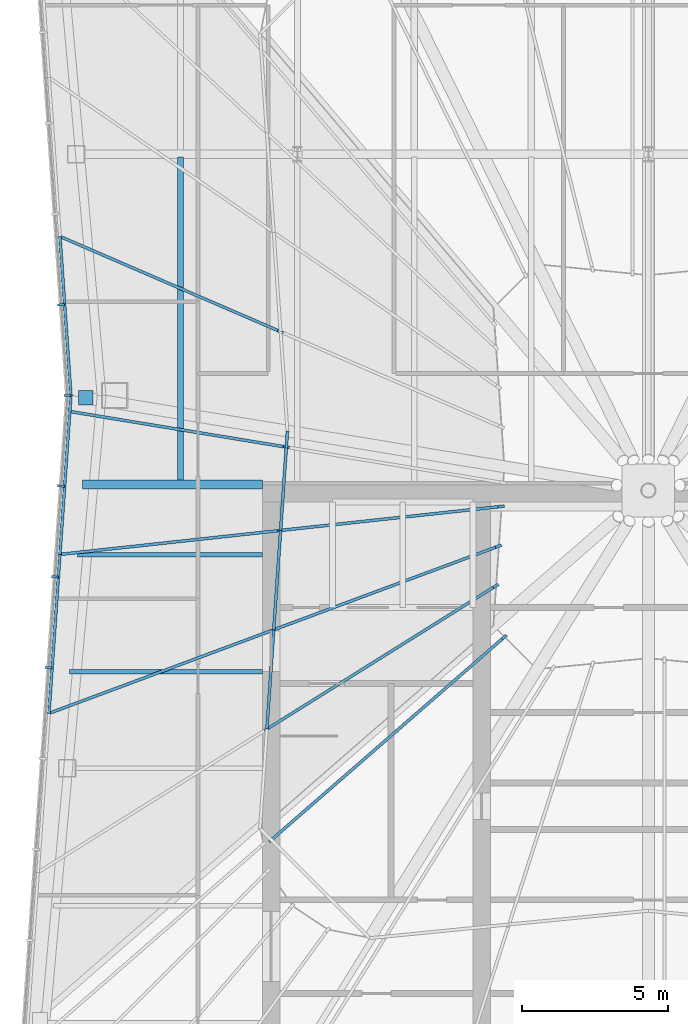
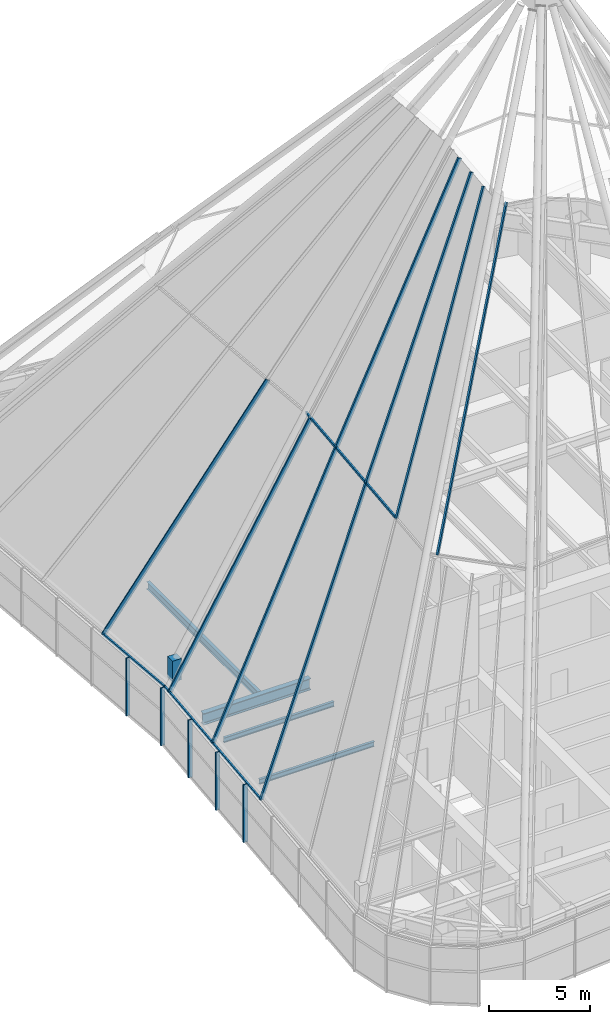
# One storey, part 7 of 28: 20 members, 4 beams, 10 elements without a shape of their own.
"""IFC4 building model written with IfcOpenShell, lengths in metres."""

from ifc_helpers import new_model, si_unit, direction, frame, origin, origin_2d, place, context, subcontext, project, spatial, rectangle, i_section, extrude, material, layer, layer_set, material_profile, profile_set, type_object, element, aggregate, save


model = new_model("IFC4")

# Units and contexts
model_context = context("Model", 3, precision=1e-05, world=origin(), true_north=direction((0.0, 1.0)))
body_context = subcontext(model_context, "Body", "Model", "MODEL_VIEW")
ifc_project = project(units=[si_unit("LENGTHUNIT", "METRE"), si_unit("AREAUNIT", "SQUARE_METRE"), si_unit("VOLUMEUNIT", "CUBIC_METRE"), si_unit("PLANEANGLEUNIT", "RADIAN"), si_unit("MASSUNIT", "GRAM", prefix="KILO")], contexts=[model_context])

# Site, building, storey
site_placement = place(None, origin())
site = spatial("IfcSite", under=ifc_project, at=site_placement, CompositionType="ELEMENT")
building_placement = place(site_placement, origin())
building = spatial("IfcBuilding", under=site, at=building_placement, Name="Verdant Reach Tower", CompositionType="ELEMENT")
storey_placement = place(building_placement, frame((0.0, 0.0, 368.0)))
storey = spatial("IfcBuildingStorey", under=building, at=storey_placement, Name="L83 Crown plant", CompositionType="ELEMENT", Elevation=368.0)

# Curtain wall, members
ifc_material_1 = material(Name="Anodised aluminium", Category="aluminium")
curtain_wall_type_1 = type_object("IfcCurtainWallType", Name="EN-CW SYSTEM PLANT", PredefinedType="NOTDEFINED", material=ifc_material_1)
curtain_wall_1_placement = place(storey_placement, origin())
curtain_wall_1 = element("IfcCurtainWall", 1, at=curtain_wall_1_placement, inside=storey, type_object=curtain_wall_type_1, Name="Curtain wall west, L83", PredefinedType="NOTDEFINED")
ifc_material_profile_1 = material_profile(ifc_material_1, rectangle(XDim=0.238037109375, YDim=0.080078125, at=origin_2d()), Name="Mullion 80x240")
ifc_profile_set_1 = profile_set([ifc_material_profile_1], Name="Anodised aluminium")
member_type_1 = type_object("IfcMemberType", Name="EN-MULLION PLANT", PredefinedType="MULLION", material=ifc_profile_set_1)
member_1_placement = place(storey_placement, frame((-20.0830078125, 44.348876953125, -0.35009765625), z_axis=(0.0, 0.0, 1.0), x_axis=(-0.997630328423, -0.068802091615, 0.0)))
member_1 = element("IfcMember", 2, at=member_1_placement, type_object=member_type_1, Name="Mullion west face part 1 7, L83", PredefinedType="MULLION", context=body_context, shape_type="SweptSolid", body=[
    extrude(rectangle(XDim=0.238037109375, YDim=0.080078125, at=origin_2d()), origin(), (0.0, 0.0, 1.0), 3.5),
])
member_2_placement = place(storey_placement, frame((-19.868896484375, 41.25, -0.35009765625), z_axis=(0.0, 0.0, 1.0), x_axis=(-1.0, 0.0, 0.0)))
member_2 = element("IfcMember", 3, at=member_2_placement, type_object=member_type_1, Name="Mullion west face part 2 1, L83", PredefinedType="MULLION", context=body_context, shape_type="SweptSolid", body=[
    extrude(rectangle(XDim=0.238037109375, YDim=0.080078125, at=origin_2d()), origin(), (0.0, 0.0, 1.0), 3.5),
])
member_3_placement = place(storey_placement, frame((-20.0830078125, 38.151123046875, -0.35009765625), z_axis=(0.0, 0.0, 1.0), x_axis=(-0.997630328423, 0.068802091615, 0.0)))
member_3 = element("IfcMember", 4, at=member_3_placement, type_object=member_type_1, Name="Mullion west face part 2 2, L83", PredefinedType="MULLION", context=body_context, shape_type="SweptSolid", body=[
    extrude(rectangle(XDim=0.238037109375, YDim=0.080078125, at=origin_2d()), origin(), (0.0, 0.0, 1.0), 3.5),
])
member_4_placement = place(storey_placement, frame((-20.29736328125, 35.0439453125, -0.35009765625), z_axis=(0.0, 0.0, 1.0), x_axis=(-0.997630328423, 0.068802091615, 0.0)))
member_4 = element("IfcMember", 5, at=member_4_placement, type_object=member_type_1, Name="Mullion west face part 2 3, L83", PredefinedType="MULLION", context=body_context, shape_type="SweptSolid", body=[
    extrude(rectangle(XDim=0.238037109375, YDim=0.080078125, at=origin_2d()), origin(), (0.0, 0.0, 1.0), 3.5),
])
member_5_placement = place(storey_placement, frame((-20.511474609375, 31.936767578125, -0.35009765625), z_axis=(0.0, 0.0, 1.0), x_axis=(-0.997630328423, 0.068802091615, 0.0)))
member_5 = element("IfcMember", 6, at=member_5_placement, type_object=member_type_1, Name="Mullion west face part 2 4, L83", PredefinedType="MULLION", context=body_context, shape_type="SweptSolid", body=[
    extrude(rectangle(XDim=0.238037109375, YDim=0.080078125, at=origin_2d()), origin(), (0.0, 0.0, 1.0), 3.5),
])
aggregate(curtain_wall_1, [member_1, member_2, member_3, member_4, member_5])

# Curtain wall, member
curtain_wall_type_2 = type_object("IfcCurtainWallType", Name="EN-CW SYSTEM CROWN APEX", PredefinedType="NOTDEFINED", material=ifc_material_1)
curtain_wall_2_placement = place(storey_placement, origin())
curtain_wall_2 = element("IfcCurtainWall", 7, at=curtain_wall_2_placement, inside=storey, type_object=curtain_wall_type_2, Name="Crown glazing unit west face part 1 4, level 01", PredefinedType="NOTDEFINED")
ifc_material_profile_2 = material_profile(ifc_material_1, rectangle(XDim=0.10009765625, YDim=0.239990234375, at=origin_2d()), Name="Mullion 100x240")
ifc_profile_set_2 = profile_set([ifc_material_profile_2], Name="Anodised aluminium")
member_type_2 = type_object("IfcMemberType", Name="EN-RIB MULLION CROWN", PredefinedType="MULLION", material=ifc_profile_set_2)
member_6_placement = place(storey_placement, frame((-20.125, 46.6875, 3.14990234375), z_axis=(0.446067619679, -0.192557140172, 0.874039716742), x_axis=(0.396326778876, 0.918109516532, 0.0)))
member_6 = element("IfcMember", 8, at=member_6_placement, type_object=member_type_2, Name="Crown mullion west face part 1 4, level 01", PredefinedType="MULLION", context=body_context, shape_type="SweptSolid", body=[
    extrude(rectangle(XDim=0.10009765625, YDim=0.239990234375, at=origin_2d()), origin(), (0.0, 0.0, 1.0), 16.918701171875),
])

curtain_wall_3_placement = place(storey_placement, origin())
curtain_wall_3 = element("IfcCurtainWall", 9, at=curtain_wall_3_placement, inside=storey, type_object=curtain_wall_type_2, Name="Crown glazing unit west face part 2 1, level 01", PredefinedType="NOTDEFINED")
member_7_placement = place(storey_placement, frame((-19.787841796875, 40.701416015625, 3.14990234375), z_axis=(0.446604799873, -0.073491929093, 0.891707961772), x_axis=(0.162373195455, 0.986729418533, 0.0)))
member_7 = element("IfcMember", 10, at=member_7_placement, type_object=member_type_2, Name="Crown mullion west face part 2 1, level 01", PredefinedType="MULLION", context=body_context, shape_type="SweptSolid", body=[
    extrude(rectangle(XDim=0.10009765625, YDim=0.239990234375, at=origin_2d()), origin(), (0.0, 0.0, 1.0), 16.58349609375),
])

curtain_wall_4_placement = place(storey_placement, origin())
curtain_wall_4 = element("IfcCurtainWall", 11, at=curtain_wall_4_placement, inside=storey, type_object=curtain_wall_type_2, Name="Crown glazing unit west face part 2 2, level 01", PredefinedType="NOTDEFINED")
member_8_placement = place(storey_placement, frame((-20.125, 35.8125, 3.14990234375), z_axis=(0.454020757448, 0.049350082331, 0.889623359169), x_axis=(-0.108059180768, 0.994144463069, 0.0)))
member_8 = element("IfcMember", 12, at=member_8_placement, type_object=member_type_2, Name="Crown mullion west face part 2 2, level 01", PredefinedType="MULLION", context=body_context, shape_type="SweptSolid", body=[
    extrude(rectangle(XDim=0.10009765625, YDim=0.239990234375, at=origin_2d()), origin(), (0.0, 0.0, 1.0), 16.622314453125),
])

curtain_wall_5_placement = place(storey_placement, origin())
curtain_wall_5 = element("IfcCurtainWall", 13, at=curtain_wall_5_placement, inside=storey, type_object=curtain_wall_type_2, Name="Crown glazing unit west face part 2 3, level 01", PredefinedType="NOTDEFINED")
member_9_placement = place(storey_placement, frame((-20.5, 30.375, 3.14990234375), z_axis=(0.454613747393, 0.16909413775, 0.874490430628), x_axis=(-0.34861696519, 0.937265283461, 0.0)))
member_9 = element("IfcMember", 14, at=member_9_placement, type_object=member_type_2, Name="Crown mullion west face part 2 3, level 01", PredefinedType="MULLION", context=body_context, shape_type="SweptSolid", body=[
    extrude(rectangle(XDim=0.10009765625, YDim=0.239990234375, at=origin_2d()), origin(), (0.0, 0.0, 1.0), 16.909912109375),
])
aggregate(curtain_wall_5, [member_9])

curtain_wall_6_placement = place(storey_placement, origin())
curtain_wall_6 = element("IfcCurtainWall", 15, at=curtain_wall_6_placement, inside=storey, type_object=curtain_wall_type_2, Name="Crown glazing unit west face part 2 2, level 02", PredefinedType="NOTDEFINED")
member_10_placement = place(storey_placement, frame((-12.578125, 36.6328125, 17.9375), z_axis=(0.462668033974, 0.050290003693, 0.885104064993), x_axis=(-0.108059180768, 0.994144463069, 0.0)))
member_10 = element("IfcMember", 16, at=member_10_placement, type_object=member_type_2, Name="Crown mullion west face part 2 2, level 02", PredefinedType="MULLION", context=body_context, shape_type="SweptSolid", body=[
    extrude(rectangle(XDim=0.10009765625, YDim=0.239990234375, at=origin_2d()), origin(), (0.0, 0.0, 1.0), 16.3115234375),
])

curtain_wall_7_placement = place(storey_placement, origin())
curtain_wall_7 = element("IfcCurtainWall", 17, at=curtain_wall_7_placement, inside=storey, type_object=curtain_wall_type_2, Name="Crown glazing unit west face part 2 3, level 02", PredefinedType="NOTDEFINED")
member_11_placement = place(storey_placement, frame((-12.8125, 33.234375, 17.9375), z_axis=(0.462972145316, 0.17220305405, 0.86948427291), x_axis=(-0.34861696519, 0.937265283461, 0.0)))
member_11 = element("IfcMember", 18, at=member_11_placement, type_object=member_type_2, Name="Crown mullion west face part 2 3, level 02", PredefinedType="MULLION", context=body_context, shape_type="SweptSolid", body=[
    extrude(rectangle(XDim=0.10009765625, YDim=0.239990234375, at=origin_2d()), origin(), (0.0, 0.0, 1.0), 16.604736328125),
])

curtain_wall_8_placement = place(storey_placement, origin())
curtain_wall_8 = element("IfcCurtainWall", 19, at=curtain_wall_8_placement, inside=storey, type_object=curtain_wall_type_2, Name="Crown glazing unit west face part 2 4, level 02", PredefinedType="NOTDEFINED")
member_12_placement = place(storey_placement, frame((-13.046875, 29.8359375, 17.9375), z_axis=(0.456766471616, 0.285820935832, 0.842419600346), x_axis=(-0.53045514425, 0.847713005644, 0.0)))
member_12 = element("IfcMember", 20, at=member_12_placement, type_object=member_type_2, Name="Crown mullion west face part 2 4, level 02", PredefinedType="MULLION", context=body_context, shape_type="SweptSolid", body=[
    extrude(rectangle(XDim=0.10009765625, YDim=0.239990234375, at=origin_2d()), origin(), (0.0, 0.0, 1.0), 17.13818359375),
])
aggregate(curtain_wall_8, [member_12])

curtain_wall_9_placement = place(storey_placement, origin())
curtain_wall_9 = element("IfcCurtainWall", 21, at=curtain_wall_9_placement, inside=storey, type_object=curtain_wall_type_2, Name="Crown glazing unit south-west corner 1, level 02", PredefinedType="NOTDEFINED")
member_13_placement = place(storey_placement, frame((-12.892333984375, 26.048583984375, 17.9375), z_axis=(0.445417055524, 0.387774848338, 0.806990900596), x_axis=(-0.656617966376, 0.754223339756, 0.0)))
member_13 = element("IfcMember", 22, at=member_13_placement, type_object=member_type_2, Name="Crown mullion south-west corner 1, level 02", PredefinedType="MULLION", context=body_context, shape_type="SweptSolid", body=[
    extrude(rectangle(XDim=0.10009765625, YDim=0.239990234375, at=origin_2d()), origin(), (0.0, 0.0, 1.0), 17.890625),
])
aggregate(curtain_wall_9, [member_13])

# Member
ifc_material_profile_3 = material_profile(ifc_material_1, rectangle(XDim=0.10009765625, YDim=0.139892578125, at=origin_2d()), Name="Transom 140x100")
ifc_profile_set_3 = profile_set([ifc_material_profile_3], Name="Anodised aluminium")
member_type_3 = type_object("IfcMemberType", Name="EN-TRANSOM CROWN", PredefinedType="USERDEFINED", material=ifc_profile_set_3)
member_14_placement = place(storey_placement, frame((-20.125, 46.6875, 3.14990234375), z_axis=(0.068802091615, -0.997630328423, 0.0), x_axis=(0.997630328423, 0.068802091615, 0.0)))
member_14 = element("IfcMember", 23, at=member_14_placement, type_object=member_type_3, Name="Crown transom west face part 1 4, level 01", ObjectType="TRANSOM", PredefinedType="USERDEFINED", context=body_context, shape_type="SweptSolid", body=[
    extrude(rectangle(XDim=0.10009765625, YDim=0.139892578125, at=origin_2d()), origin(), (0.0, 0.0, 1.0), 5.450439453125),
])

aggregate(curtain_wall_2, [member_6, member_14])

member_15_placement = place(storey_placement, frame((-19.75, 41.25, 3.14990234375), z_axis=(-0.068802091615, -0.997630328423, 0.0), x_axis=(0.997630328423, -0.068802091615, 0.0)))
member_15 = element("IfcMember", 24, at=member_15_placement, type_object=member_type_3, Name="Crown transom west face part 2 1, level 01", ObjectType="TRANSOM", PredefinedType="USERDEFINED", context=body_context, shape_type="SweptSolid", body=[
    extrude(rectangle(XDim=0.10009765625, YDim=0.139892578125, at=origin_2d()), origin(), (0.0, 0.0, 1.0), 5.450439453125),
])

aggregate(curtain_wall_3, [member_7, member_15])

member_16_placement = place(storey_placement, frame((-20.125, 35.8125, 3.14990234375), z_axis=(-0.068802091615, -0.997630328423, 0.0), x_axis=(0.997630328423, -0.068802091615, 0.0)))
member_16 = element("IfcMember", 25, at=member_16_placement, type_object=member_type_3, Name="Crown transom west face part 2 2, level 01", ObjectType="TRANSOM", PredefinedType="USERDEFINED", context=body_context, shape_type="SweptSolid", body=[
    extrude(rectangle(XDim=0.10009765625, YDim=0.139892578125, at=origin_2d()), origin(), (0.0, 0.0, 1.0), 5.450439453125),
])

aggregate(curtain_wall_4, [member_8, member_16])

# Curtain wall, member
curtain_wall_10_placement = place(storey_placement, origin())
curtain_wall_10 = element("IfcCurtainWall", 26, at=curtain_wall_10_placement, inside=storey, type_object=curtain_wall_type_2, Name="Crown glazing unit west face part 2 1, level 02", PredefinedType="NOTDEFINED")
member_17_placement = place(storey_placement, frame((-12.34375, 40.03125, 17.9375), z_axis=(-0.068802091615, -0.997630328423, 0.0), x_axis=(0.997630328423, -0.068802091615, 0.0)))
member_17 = element("IfcMember", 27, at=member_17_placement, type_object=member_type_3, Name="Crown transom west face part 2 1, level 02", ObjectType="TRANSOM", PredefinedType="USERDEFINED", context=body_context, shape_type="SweptSolid", body=[
    extrude(rectangle(XDim=0.10009765625, YDim=0.139892578125, at=origin_2d()), origin(), (0.0, 0.0, 1.0), 3.406494140625),
])
aggregate(curtain_wall_10, [member_17])

# Member
member_18_placement = place(storey_placement, frame((-12.578125, 36.6328125, 17.9375), z_axis=(-0.068802091615, -0.997630328423, 0.0), x_axis=(0.997630328423, -0.068802091615, 0.0)))
member_18 = element("IfcMember", 28, at=member_18_placement, type_object=member_type_3, Name="Crown transom west face part 2 2, level 02", ObjectType="TRANSOM", PredefinedType="USERDEFINED", context=body_context, shape_type="SweptSolid", body=[
    extrude(rectangle(XDim=0.10009765625, YDim=0.139892578125, at=origin_2d()), origin(), (0.0, 0.0, 1.0), 3.406494140625),
])

aggregate(curtain_wall_6, [member_10, member_18])

member_19_placement = place(storey_placement, frame((-12.8125, 33.234375, 17.9375), z_axis=(-0.068802091615, -0.997630328423, 0.0), x_axis=(0.997630328423, -0.068802091615, 0.0)))
member_19 = element("IfcMember", 29, at=member_19_placement, type_object=member_type_3, Name="Crown transom west face part 2 3, level 02", ObjectType="TRANSOM", PredefinedType="USERDEFINED", context=body_context, shape_type="SweptSolid", body=[
    extrude(rectangle(XDim=0.10009765625, YDim=0.139892578125, at=origin_2d()), origin(), (0.0, 0.0, 1.0), 3.406494140625),
])

aggregate(curtain_wall_7, [member_11, member_19])

# Beams
ifc_material_2 = material(Name="Steel S355", Category="steel")
ifc_material_profile_4 = material_profile(ifc_material_2, i_section(OverallWidth=0.300048828125, OverallDepth=0.699951171875, WebThickness=0.01708984375, FlangeThickness=0.031982421875, FilletRadius=0.027099609375, at=origin_2d()), Name="HEB 700")
ifc_profile_set_4 = profile_set([ifc_material_profile_4], Name="Steel S355")
beam_type_1 = type_object("IfcBeamType", Name="ST-BEAM-HEB700", PredefinedType="BEAM", material=ifc_profile_set_4)
beam_1_placement = place(storey_placement, frame((-13.199951171875, 38.199951171875, 2.949951171875), z_axis=(-1.0, 0.0, 0.0), x_axis=(0.0, -1.0, 0.0)))
element("IfcBeam", 30, at=beam_1_placement, inside=storey, type_object=beam_type_1, Name="Trimmer beam, L83 Crown plant", PredefinedType="BEAM", context=body_context, shape_type="SweptSolid", body=[
    extrude(i_section(OverallWidth=0.300048828125, OverallDepth=0.699951171875, WebThickness=0.01708984375, FlangeThickness=0.031982421875, FilletRadius=0.027099609375, at=origin_2d()), origin(), (0.0, 0.0, 1.0), 6.158935546875),
])
ifc_material_profile_5 = material_profile(ifc_material_2, i_section(OverallWidth=0.14990234375, OverallDepth=0.300048828125, WebThickness=0.007080078125, FlangeThickness=0.0107421875, FilletRadius=0.014892578125, at=origin_2d()), Name="IPE 300")
ifc_profile_set_5 = profile_set([ifc_material_profile_5], Name="Steel S355")
beam_type_2 = type_object("IfcBeamType", Name="ST-JOIST-IPE300", PredefinedType="JOIST", material=ifc_profile_set_5)
beam_2_placement = place(storey_placement, frame((-13.199951171875, 31.800048828125, 3.14990234375), z_axis=(-1.0, 0.0, 0.0), x_axis=(0.0, -1.0, 0.0)))
element("IfcBeam", 31, at=beam_2_placement, inside=storey, type_object=beam_type_2, Name="Floor joist, L83 Crown plant", PredefinedType="JOIST", context=body_context, shape_type="SweptSolid", body=[
    extrude(i_section(OverallWidth=0.14990234375, OverallDepth=0.300048828125, WebThickness=0.007080078125, FlangeThickness=0.0107421875, FilletRadius=0.014892578125, at=origin_2d()), origin(), (0.0, 0.0, 1.0), 6.600341796875),
])
beam_3_placement = place(storey_placement, frame((-13.199951171875, 35.800048828125, 3.14990234375), z_axis=(-1.0, 0.0, 0.0), x_axis=(0.0, -1.0, 0.0)))
element("IfcBeam", 32, at=beam_3_placement, inside=storey, type_object=beam_type_2, Name="Floor joist, L83 Crown plant", PredefinedType="JOIST", context=body_context, shape_type="SweptSolid", body=[
    extrude(i_section(OverallWidth=0.14990234375, OverallDepth=0.300048828125, WebThickness=0.007080078125, FlangeThickness=0.0107421875, FilletRadius=0.014892578125, at=origin_2d()), origin(), (0.0, 0.0, 1.0), 6.324462890625),
])
ifc_material_profile_6 = material_profile(ifc_material_2, i_section(OverallWidth=0.18994140625, OverallDepth=0.449951171875, WebThickness=0.009521484375, FlangeThickness=0.0146484375, FilletRadius=0.02099609375, at=origin_2d()), Name="IPE 450")
ifc_profile_set_6 = profile_set([ifc_material_profile_6], Name="Steel S355")
beam_type_3 = type_object("IfcBeamType", Name="ST-JOIST-IPE450", PredefinedType="JOIST", material=ifc_profile_set_6)
beam_4_placement = place(storey_placement, frame((-16.0, 38.300048828125, 3.074951171875), z_axis=(0.0, 1.0, 0.0), x_axis=(-1.0, 0.0, 0.0)))
element("IfcBeam", 33, at=beam_4_placement, inside=storey, type_object=beam_type_3, Name="Floor joist, L83 Crown plant", PredefinedType="JOIST", context=body_context, shape_type="SweptSolid", body=[
    extrude(i_section(OverallWidth=0.18994140625, OverallDepth=0.449951171875, WebThickness=0.009521484375, FlangeThickness=0.0146484375, FilletRadius=0.02099609375, at=origin_2d()), origin(), (0.0, 0.0, 1.0), 11.099853515625),
])

# Member
ifc_material_3 = material(Name="Steel S460", Category="steel")
ifc_layer = layer(ifc_material_3, 0.5)
ifc_layer_set = layer_set([ifc_layer], Name="ST-NODE-FOOT")
member_type_4 = type_object("IfcMemberType", Name="ST-NODE-FOOT", PredefinedType="POST", material=ifc_layer_set)
member_20_placement = place(storey_placement, frame((-19.237060546875, 41.16552734375, 3.5), z_axis=(0.0, 0.0, 1.0), x_axis=(1.0, 0.0, 0.0)))
element("IfcMember", 34, at=member_20_placement, inside=storey, type_object=member_type_4, Name="Crown rib foot node 9", PredefinedType="POST", context=body_context, shape_type="SweptSolid", body=[
    extrude(rectangle(XDim=0.5, YDim=0.5, at=origin_2d()), origin(), (0.0, 0.0, 1.0), 1.2998046875),
])

save(model, "model.ifc")
